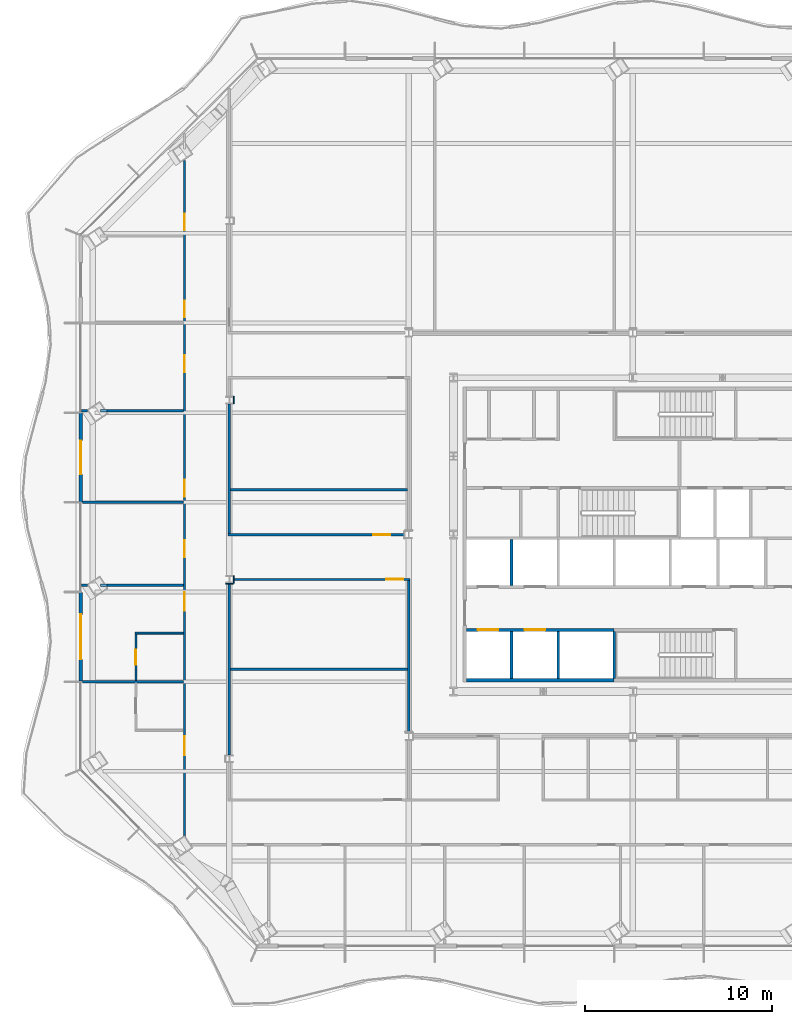
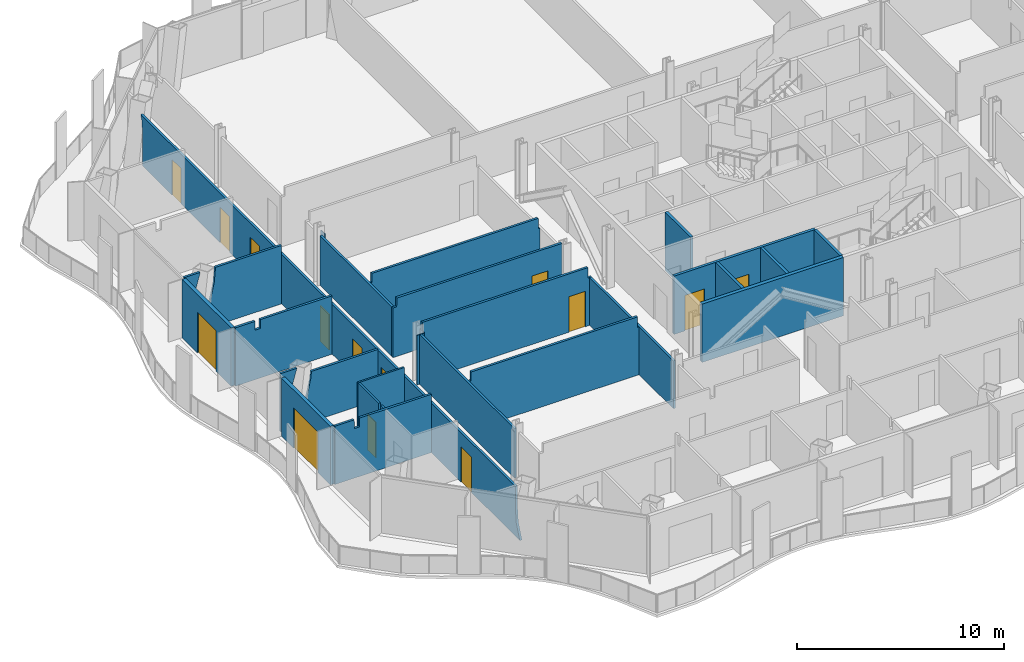
# One storey, part 8 of 21: 27 walls, 14 doors, 14 openings.
"""IFC4 building model written with IfcOpenShell, lengths in metres."""

from ifc_helpers import new_model, si_unit, direction, frame, frame_2d, origin, place, context, subcontext, project, spatial, polyline, rectangle, outline, extrude, material, layer, layer_set, type_object, element, fill, save


model = new_model("IFC4")

# Units and contexts
model_context = context("Model", 3, precision=1e-05, world=origin(), true_north=direction((0.0, 1.0)))
body_context = subcontext(model_context, "Body", "Model", "MODEL_VIEW")
ifc_project = project(units=[si_unit("LENGTHUNIT", "METRE"), si_unit("AREAUNIT", "SQUARE_METRE"), si_unit("VOLUMEUNIT", "CUBIC_METRE"), si_unit("PLANEANGLEUNIT", "RADIAN"), si_unit("MASSUNIT", "GRAM", prefix="KILO")], contexts=[model_context])

# Site, building, storey
site_placement = place(None, origin())
site = spatial("IfcSite", under=ifc_project, at=site_placement, CompositionType="ELEMENT")
building_placement = place(site_placement, origin())
building = spatial("IfcBuilding", under=site, at=building_placement, Name="Cairn Pilgrim Tower", CompositionType="ELEMENT")
storey_placement = place(building_placement, frame((0.0, 0.0, 108.60009765625)))
storey = spatial("IfcBuildingStorey", under=building, at=storey_placement, Name="L26", CompositionType="ELEMENT", Elevation=108.60009765625)

# Wall, opening, door
ifc_material_1 = material(Name="Bronze anodised aluminium insulated sandwich panel with mineral wool fill", Category="aluminium")
ifc_layer_1 = layer(ifc_material_1, 0.199951171875)
ifc_layer_set_1 = layer_set([ifc_layer_1], Name="BRONZE INFILL FRAME WALL 200")
wall_type_1 = type_object("IfcWallType", Name="BRONZE INFILL FRAME WALL 200", PredefinedType="NOTDEFINED", material=ifc_layer_set_1)
wall_1_placement = place(storey_placement, frame((-22.3583984375, 8.897705078125, 0.0), z_axis=(0.0, 0.0, 1.0), x_axis=(0.0, -1.0, 0.0)))
wall_1 = element("IfcWall", 1, at=wall_1_placement, inside=storey, type_object=wall_type_1, Name="Bronze infill frame wall IW-W3", PredefinedType="NOTDEFINED", context=body_context, shape_type="SweptSolid", body=[
    extrude(rectangle(XDim=4.739990234375, YDim=0.199951171875, at=frame_2d((2.3701171875, 0.0))), origin(), (0.0, 0.0, 1.0), 3.449951171875),
])
opening_1_placement = place(wall_1_placement, frame((1.4697265625, 0.0, 0.0)))
opening_1 = element("IfcOpeningElement", 2, at=opening_1_placement, cuts=wall_1, Name="Opening 2612B", PredefinedType="OPENING", context=body_context, shape_type="SweptSolid", body=[
    extrude(rectangle(XDim=1.800048828125, YDim=2.39990234375, at=frame_2d((0.89990234375, 1.199951171875))), frame((0.0, 0.10986328125, 0.0), z_axis=(0.0, -1.0, 0.0), x_axis=(1.0, 0.0, 0.0)), (0.0, 0.0, 1.0), 0.219970703125),
])
ifc_material_2 = material(Name="Bronze anodised aluminium frame with tinted low-E glass", Category="aluminium")
door_type_1 = type_object("IfcDoorType", Name="BALCONY SLIDING DOOR 1800x2400", OperationType="DOUBLE_DOOR_SLIDING", PredefinedType="DOOR", material=ifc_material_2)
door_1_placement = place(opening_1_placement, origin())
door_1 = element("IfcDoor", 3, at=door_1_placement, inside=storey, type_object=door_type_1, Name="Balcony sliding door 2612B", OperationType="SINGLE_SWING_LEFT", OverallHeight=2.39990234375, OverallWidth=1.800048828125, PredefinedType="DOOR", context=body_context, shape_type="SweptSolid", body=[
    extrude(rectangle(XDim=1.800048828125, YDim=2.39990234375, at=frame_2d((0.89990234375, 1.199951171875))), frame((0.0, 0.02490234375, 0.0), z_axis=(0.0, -1.0, 0.0), x_axis=(1.0, 0.0, 0.0)), (0.0, 0.0, 1.0), 0.050048828125),
])
fill(opening_1, door_1)

wall_2_placement = place(storey_placement, frame((-22.3583984375, -0.7021484375, 0.0), z_axis=(0.0, 0.0, 1.0), x_axis=(0.0, -1.0, 0.0)))
wall_2 = element("IfcWall", 4, at=wall_2_placement, inside=storey, type_object=wall_type_1, Name="Bronze infill frame wall IW-W5", PredefinedType="NOTDEFINED", context=body_context, shape_type="SweptSolid", body=[
    extrude(rectangle(XDim=4.739990234375, YDim=0.199951171875, at=frame_2d((2.3701171875, 0.0))), origin(), (0.0, 0.0, 1.0), 3.449951171875),
])
opening_2_placement = place(wall_2_placement, frame((1.169677734375, 0.0, 0.0)))
opening_2 = element("IfcOpeningElement", 5, at=opening_2_placement, cuts=wall_2, Name="Opening 2610B", PredefinedType="OPENING", context=body_context, shape_type="SweptSolid", body=[
    extrude(rectangle(XDim=2.39990234375, YDim=2.39990234375, at=frame_2d((1.199951171875, 1.199951171875))), frame((0.0, 0.10986328125, 0.0), z_axis=(0.0, -1.0, 0.0), x_axis=(1.0, 0.0, 0.0)), (0.0, 0.0, 1.0), 0.219970703125),
])
door_type_2 = type_object("IfcDoorType", Name="BALCONY SLIDING DOOR 2400x2400", OperationType="DOUBLE_DOOR_SLIDING", PredefinedType="DOOR", material=ifc_material_2)
door_2_placement = place(opening_2_placement, origin())
door_2 = element("IfcDoor", 6, at=door_2_placement, inside=storey, type_object=door_type_2, Name="Balcony sliding door 2610B", OperationType="SINGLE_SWING_LEFT", OverallHeight=2.39990234375, OverallWidth=2.39990234375, PredefinedType="DOOR", context=body_context, shape_type="SweptSolid", body=[
    extrude(rectangle(XDim=2.39990234375, YDim=2.39990234375, at=frame_2d((1.199951171875, 1.199951171875))), frame((0.0, 0.02490234375, 0.0), z_axis=(0.0, -1.0, 0.0), x_axis=(1.0, 0.0, 0.0)), (0.0, 0.0, 1.0), 0.050048828125),
])
fill(opening_2, door_2)

# Wall
ifc_material_3 = material(Name="Concrete C32/40", Category="concrete")
ifc_layer_2 = layer(ifc_material_3, 0.199951171875)
ifc_layer_set_2 = layer_set([ifc_layer_2], Name="CORE OUTER WALL 200 EI 120")
wall_type_2 = type_object("IfcWallType", Name="CORE OUTER WALL 200 EI 120", PredefinedType="SOLIDWALL", material=ifc_layer_set_2)
wall_3_placement = place(storey_placement, frame((-1.699951171875, -5.39990234375, 0.0), z_axis=(0.0, 0.0, 1.0), x_axis=(1.0, 0.0, 0.0)))
element("IfcWall", 7, at=wall_3_placement, inside=storey, type_object=wall_type_2, Name="CW:L26:H01-1", PredefinedType="SOLIDWALL", context=body_context, shape_type="SweptSolid", body=[
    extrude(rectangle(XDim=7.89990234375, YDim=0.199951171875, at=frame_2d((3.949951171875, 0.0))), origin(), (0.0, 0.0, 1.0), 3.449951171875),
])

# Wall, openings, doors
ifc_layer_3 = layer(ifc_material_3, 0.14990234375)
ifc_layer_set_3 = layer_set([ifc_layer_3], Name="CORE SHAFT WALL 150 EI 120")
wall_type_3 = type_object("IfcWallType", Name="CORE SHAFT WALL 150 EI 120", PredefinedType="SOLIDWALL", material=ifc_layer_set_3)
wall_4_placement = place(storey_placement, frame((-1.699951171875, -2.699951171875, 0.0), z_axis=(0.0, 0.0, 1.0), x_axis=(1.0, 0.0, 0.0)))
wall_4 = element("IfcWall", 8, at=wall_4_placement, inside=storey, type_object=wall_type_3, Name="CW:L26:H02-1", PredefinedType="SOLIDWALL", context=body_context, shape_type="SweptSolid", body=[
    extrude(rectangle(XDim=7.89990234375, YDim=0.14990234375, at=frame_2d((3.949951171875, 0.0))), origin(), (0.0, 0.0, 1.0), 3.449951171875),
])
opening_3_placement = place(wall_4_placement, frame((0.60009765625, 0.0, 0.0)))
opening_3 = element("IfcOpeningElement", 9, at=opening_3_placement, cuts=wall_4, Name="Opening LD-LR1", PredefinedType="OPENING", context=body_context, shape_type="SweptSolid", body=[
    extrude(rectangle(XDim=1.10009765625, YDim=2.10009765625, at=frame_2d((0.550048828125, 1.050048828125))), frame((0.0, 0.0849609375, 0.0), z_axis=(0.0, -1.0, 0.0), x_axis=(1.0, 0.0, 0.0)), (0.0, 0.0, 1.0), 0.169921875),
])
opening_4_placement = place(wall_4_placement, frame((3.10009765625, 0.0, 0.0)))
opening_4 = element("IfcOpeningElement", 10, at=opening_4_placement, cuts=wall_4, Name="Opening LD-LR2", PredefinedType="OPENING", context=body_context, shape_type="SweptSolid", body=[
    extrude(rectangle(XDim=1.10009765625, YDim=2.10009765625, at=frame_2d((0.550048828125, 1.050048828125))), frame((0.0, 0.0849609375, 0.0), z_axis=(0.0, -1.0, 0.0), x_axis=(1.0, 0.0, 0.0)), (0.0, 0.0, 1.0), 0.169921875),
])
ifc_material_4 = material(Name="Stainless steel", Category="steel")
door_type_3 = type_object("IfcDoorType", Name="LIFT LANDING DOOR 1100x2100", OperationType="DOUBLE_DOOR_SLIDING", PredefinedType="DOOR", material=ifc_material_4)
door_3_placement = place(opening_3_placement, origin())
door_3 = element("IfcDoor", 11, at=door_3_placement, inside=storey, type_object=door_type_3, Name="LANDING DOOR LR1", OperationType="DOUBLE_DOOR_SLIDING", OverallHeight=2.10009765625, OverallWidth=1.10009765625, PredefinedType="DOOR", context=body_context, shape_type="SweptSolid", body=[
    extrude(rectangle(XDim=1.10009765625, YDim=2.10009765625, at=frame_2d((0.550048828125, 1.050048828125))), frame((0.0, 0.02490234375, 0.0), z_axis=(0.0, -1.0, 0.0), x_axis=(1.0, 0.0, 0.0)), (0.0, 0.0, 1.0), 0.050048828125),
])
fill(opening_3, door_3)
door_4_placement = place(opening_4_placement, origin())
door_4 = element("IfcDoor", 12, at=door_4_placement, inside=storey, type_object=door_type_3, Name="LANDING DOOR LR2", OperationType="DOUBLE_DOOR_SLIDING", OverallHeight=2.10009765625, OverallWidth=1.10009765625, PredefinedType="DOOR", context=body_context, shape_type="SweptSolid", body=[
    extrude(rectangle(XDim=1.10009765625, YDim=2.10009765625, at=frame_2d((0.550048828125, 1.050048828125))), frame((0.0, 0.02490234375, 0.0), z_axis=(0.0, -1.0, 0.0), x_axis=(1.0, 0.0, 0.0)), (0.0, 0.0, 1.0), 0.050048828125),
])
fill(opening_4, door_4)

# Walls
wall_5_placement = place(storey_placement, frame((0.699951171875, -5.300048828125, 0.0), z_axis=(0.0, 0.0, 1.0), x_axis=(0.0, 1.0, 0.0)))
element("IfcWall", 13, at=wall_5_placement, inside=storey, type_object=wall_type_3, Name="CW:L26:V14", PredefinedType="SOLIDWALL", context=body_context, shape_type="SweptSolid", body=[
    extrude(rectangle(XDim=2.525146484375, YDim=0.14990234375, at=frame_2d((1.2626953125, 0.0))), origin(), (0.0, 0.0, 1.0), 3.449951171875),
])
wall_6_placement = place(storey_placement, frame((0.699951171875, -0.324951171875, 0.0), z_axis=(0.0, 0.0, 1.0), x_axis=(0.0, 1.0, 0.0)))
element("IfcWall", 14, at=wall_6_placement, inside=storey, type_object=wall_type_3, Name="CW:L26:V15", PredefinedType="SOLIDWALL", context=body_context, shape_type="SweptSolid", body=[
    extrude(rectangle(XDim=2.449951171875, YDim=0.14990234375, at=frame_2d((1.22509765625, 0.0))), origin(), (0.0, 0.0, 1.0), 3.449951171875),
])
wall_7_placement = place(storey_placement, frame((3.199951171875, -5.300048828125, 0.0), z_axis=(0.0, 0.0, 1.0), x_axis=(0.0, 1.0, 0.0)))
element("IfcWall", 15, at=wall_7_placement, inside=storey, type_object=wall_type_3, Name="CW:L26:V18", PredefinedType="SOLIDWALL", context=body_context, shape_type="SweptSolid", body=[
    extrude(rectangle(XDim=2.525146484375, YDim=0.14990234375, at=frame_2d((1.2626953125, 0.0))), origin(), (0.0, 0.0, 1.0), 3.449951171875),
])

# Wall, opening, door
ifc_material_5 = material(Name="Gypsum partition")
ifc_layer_4 = layer(ifc_material_5, 0.10009765625)
ifc_layer_set_4 = layer_set([ifc_layer_4], Name="PARTITION 100 DRYWALL")
wall_type_4 = type_object("IfcWallType", Name="PARTITION 100 DRYWALL", PredefinedType="PARTITIONING", material=ifc_layer_set_4)
wall_8_placement = place(storey_placement, frame((-19.39990234375, -5.409423828125, 0.0), z_axis=(0.0, 0.0, 1.0), x_axis=(0.0, 1.0, 0.0)))
wall_8 = element("IfcWall", 16, at=wall_8_placement, inside=storey, type_object=wall_type_4, Name="PARTITION W040", PredefinedType="PARTITIONING", context=body_context, shape_type="SweptSolid", body=[
    extrude(outline(polyline([(0.0, 0.0), (2.4873046875, 0.0), (2.487548828125, 3.449951171875), (0.49072265625, 3.449951171875), (0.48876953125, 2.97998046875), (0.30078125, 2.97998046875), (0.298828125, 3.449951171875), (0.0, 3.449951171875), (0.0, 0.0)])), frame((0.0, 0.050048828125, 0.0), z_axis=(0.0, -1.0, 0.0), x_axis=(1.0, 0.0, 0.0)), (0.0, 0.0, 1.0), 0.10009765625),
])
opening_5_placement = place(wall_8_placement, frame((0.83740234375, 0.0, 0.0)))
opening_5 = element("IfcOpeningElement", 17, at=opening_5_placement, cuts=wall_8, Name="Opening 2610E", PredefinedType="OPENING", context=body_context, shape_type="SweptSolid", body=[
    extrude(rectangle(XDim=0.800048828125, YDim=2.10009765625, at=frame_2d((0.39990234375, 1.050048828125))), frame((0.0, 0.06005859375, 0.0), z_axis=(0.0, -1.0, 0.0), x_axis=(1.0, 0.0, 0.0)), (0.0, 0.0, 1.0), 0.1201171875),
])
ifc_material_6 = material(Name="Timber door leaf", Category="wood")
door_type_4 = type_object("IfcDoorType", Name="DOOR 800x2100", OperationType="NOTDEFINED", PredefinedType="DOOR", material=ifc_material_6)
door_5_placement = place(opening_5_placement, frame((0.800048828125, 0.0, 0.0), z_axis=(0.0, 0.0, 1.0), x_axis=(-1.0, 0.0, 0.0)))
door_5 = element("IfcDoor", 18, at=door_5_placement, inside=storey, type_object=door_type_4, Name="DOOR 2610E", OperationType="SINGLE_SWING_LEFT", OverallHeight=2.10009765625, OverallWidth=0.800048828125, PredefinedType="DOOR", context=body_context, shape_type="SweptSolid", body=[
    extrude(rectangle(XDim=0.800048828125, YDim=2.10009765625, at=frame_2d((0.39990234375, 1.050048828125))), frame((0.0, 0.02490234375, 0.0), z_axis=(0.0, -1.0, 0.0), x_axis=(1.0, 0.0, 0.0)), (0.0, 0.0, 1.0), 0.050048828125),
])
fill(opening_5, door_5)

# Wall
wall_9_placement = place(storey_placement, frame((-19.449951171875, -2.8720703125, 0.0), z_axis=(0.0, 0.0, 1.0), x_axis=(1.0, 0.0, 0.0)))
element("IfcWall", 19, at=wall_9_placement, inside=storey, type_object=wall_type_4, Name="PARTITION W042", PredefinedType="PARTITIONING", context=body_context, shape_type="SweptSolid", body=[
    extrude(rectangle(XDim=2.58740234375, YDim=0.10009765625, at=frame_2d((1.293701171875, 0.0))), origin(), (0.0, 0.0, 1.0), 3.449951171875),
])

# Wall, openings, doors
ifc_layer_5 = layer(ifc_material_5, 0.125)
ifc_layer_set_5 = layer_set([ifc_layer_5], Name="PARTITION 125 DRYWALL EI 60")
wall_type_5 = type_object("IfcWallType", Name="PARTITION 125 DRYWALL EI 60", PredefinedType="PARTITIONING", material=ifc_layer_set_5)
wall_10_placement = place(storey_placement, frame((-16.800048828125, -14.09814453125, 0.0), z_axis=(0.0, 0.0, 1.0), x_axis=(0.0, 1.0, 0.0)))
wall_10 = element("IfcWall", 20, at=wall_10_placement, inside=storey, type_object=wall_type_5, Name="PARTITION W017", PredefinedType="PARTITIONING", context=body_context, shape_type="SweptSolid", body=[
    extrude(outline(polyline([(0.0, 0.0), (36.51513671875, 0.0), (36.51513671875, 0.8623046875), (36.51513671875, 1.724853515625), (36.57763671875, 2.58740234375), (36.701171875, 2.929931640625), (0.4326171875, 2.929931640625), (0.4326171875, 2.58740234375), (0.4326171875, 1.724853515625), (0.351806640625, 0.8623046875), (0.0, 0.0)])), frame((0.0, 0.0625, 0.0), z_axis=(0.0, -1.0, 0.0), x_axis=(1.0, 0.0, 0.0)), (0.0, 0.0, 1.0), 0.125),
])
opening_6_placement = place(wall_10_placement, frame((4.6982421875, 0.0, 0.0)))
opening_6 = element("IfcOpeningElement", 21, at=opening_6_placement, cuts=wall_10, Name="Opening 2609", PredefinedType="OPENING", context=body_context, shape_type="SweptSolid", body=[
    extrude(rectangle(XDim=1.0, YDim=2.10009765625, at=frame_2d((0.5, 1.050048828125))), frame((0.0, 0.072509765625, 0.0), z_axis=(0.0, -1.0, 0.0), x_axis=(1.0, 0.0, 0.0)), (0.0, 0.0, 1.0), 0.14501953125),
])
opening_7_placement = place(wall_10_placement, frame((12.42626953125, 0.0, 0.0)))
opening_7 = element("IfcOpeningElement", 22, at=opening_7_placement, cuts=wall_10, Name="Opening 2610", PredefinedType="OPENING", context=body_context, shape_type="SweptSolid", body=[
    extrude(rectangle(XDim=1.0, YDim=2.10009765625, at=frame_2d((0.5, 1.050048828125))), frame((0.0, 0.072509765625, 0.0), z_axis=(0.0, -1.0, 0.0), x_axis=(1.0, 0.0, 0.0)), (0.0, 0.0, 1.0), 0.14501953125),
])
opening_8_placement = place(wall_10_placement, frame((15.298095703125, 0.0, 0.0)))
opening_8 = element("IfcOpeningElement", 23, at=opening_8_placement, cuts=wall_10, Name="Opening 2611", PredefinedType="OPENING", context=body_context, shape_type="SweptSolid", body=[
    extrude(rectangle(XDim=0.89990234375, YDim=2.10009765625, at=frame_2d((0.449951171875, 1.050048828125))), frame((0.0, 0.072509765625, 0.0), z_axis=(0.0, -1.0, 0.0), x_axis=(1.0, 0.0, 0.0)), (0.0, 0.0, 1.0), 0.14501953125),
])
opening_9_placement = place(wall_10_placement, frame((18.526123046875, 0.0, 0.0)))
opening_9 = element("IfcOpeningElement", 24, at=opening_9_placement, cuts=wall_10, Name="Opening 2612", PredefinedType="OPENING", context=body_context, shape_type="SweptSolid", body=[
    extrude(rectangle(XDim=0.89990234375, YDim=2.10009765625, at=frame_2d((0.449951171875, 1.050048828125))), frame((0.0, 0.072509765625, 0.0), z_axis=(0.0, -1.0, 0.0), x_axis=(1.0, 0.0, 0.0)), (0.0, 0.0, 1.0), 0.14501953125),
])
opening_10_placement = place(wall_10_placement, frame((25.1982421875, 0.0, 0.0)))
opening_10 = element("IfcOpeningElement", 25, at=opening_10_placement, cuts=wall_10, Name="Opening 2613", PredefinedType="OPENING", context=body_context, shape_type="SweptSolid", body=[
    extrude(rectangle(XDim=0.89990234375, YDim=2.10009765625, at=frame_2d((0.449951171875, 1.050048828125))), frame((0.0, 0.072509765625, 0.0), z_axis=(0.0, -1.0, 0.0), x_axis=(1.0, 0.0, 0.0)), (0.0, 0.0, 1.0), 0.14501953125),
])
opening_11_placement = place(wall_10_placement, frame((28.126220703125, 0.0, 0.0)))
opening_11 = element("IfcOpeningElement", 26, at=opening_11_placement, cuts=wall_10, Name="Opening 2614", PredefinedType="OPENING", context=body_context, shape_type="SweptSolid", body=[
    extrude(rectangle(XDim=0.89990234375, YDim=2.10009765625, at=frame_2d((0.449951171875, 1.050048828125))), frame((0.0, 0.072509765625, 0.0), z_axis=(0.0, -1.0, 0.0), x_axis=(1.0, 0.0, 0.0)), (0.0, 0.0, 1.0), 0.14501953125),
])
opening_12_placement = place(wall_10_placement, frame((32.7822265625, 0.0, 0.0)))
opening_12 = element("IfcOpeningElement", 27, at=opening_12_placement, cuts=wall_10, Name="Opening 2615", PredefinedType="OPENING", context=body_context, shape_type="SweptSolid", body=[
    extrude(rectangle(XDim=0.89990234375, YDim=2.10009765625, at=frame_2d((0.449951171875, 1.050048828125))), frame((0.0, 0.072509765625, 0.0), z_axis=(0.0, -1.0, 0.0), x_axis=(1.0, 0.0, 0.0)), (0.0, 0.0, 1.0), 0.14501953125),
])
door_type_5 = type_object("IfcDoorType", Name="ACCESSIBLE DOOR 1000x2100 FD30S", OperationType="NOTDEFINED", PredefinedType="DOOR", material=ifc_material_6)
door_6_placement = place(opening_6_placement, origin())
door_6 = element("IfcDoor", 28, at=door_6_placement, inside=storey, type_object=door_type_5, Name="DOOR 2609", OperationType="SINGLE_SWING_RIGHT", OverallHeight=2.10009765625, OverallWidth=1.0, PredefinedType="DOOR", context=body_context, shape_type="SweptSolid", body=[
    extrude(rectangle(XDim=1.0, YDim=2.10009765625, at=frame_2d((0.5, 1.050048828125))), frame((0.0, 0.02490234375, 0.0), z_axis=(0.0, -1.0, 0.0), x_axis=(1.0, 0.0, 0.0)), (0.0, 0.0, 1.0), 0.050048828125),
])
fill(opening_6, door_6)
door_7_placement = place(opening_7_placement, origin())
door_7 = element("IfcDoor", 29, at=door_7_placement, inside=storey, type_object=door_type_5, Name="DOOR 2610", OperationType="SINGLE_SWING_RIGHT", OverallHeight=2.10009765625, OverallWidth=1.0, PredefinedType="DOOR", context=body_context, shape_type="SweptSolid", body=[
    extrude(rectangle(XDim=1.0, YDim=2.10009765625, at=frame_2d((0.5, 1.050048828125))), frame((0.0, 0.02490234375, 0.0), z_axis=(0.0, -1.0, 0.0), x_axis=(1.0, 0.0, 0.0)), (0.0, 0.0, 1.0), 0.050048828125),
])
fill(opening_7, door_7)
ifc_material_7 = material(Name="Steel-faced fire door leaf", Category="steel")
door_type_6 = type_object("IfcDoorType", Name="FIRE DOOR 900x2100 FD30S", OperationType="NOTDEFINED", PredefinedType="DOOR", material=ifc_material_7)
door_8_placement = place(opening_8_placement, origin())
door_8 = element("IfcDoor", 30, at=door_8_placement, inside=storey, type_object=door_type_6, Name="DOOR 2611", OperationType="SINGLE_SWING_RIGHT", OverallHeight=2.10009765625, OverallWidth=0.89990234375, PredefinedType="DOOR", context=body_context, shape_type="SweptSolid", body=[
    extrude(rectangle(XDim=0.89990234375, YDim=2.10009765625, at=frame_2d((0.449951171875, 1.050048828125))), frame((0.0, 0.02490234375, 0.0), z_axis=(0.0, -1.0, 0.0), x_axis=(1.0, 0.0, 0.0)), (0.0, 0.0, 1.0), 0.050048828125),
])
fill(opening_8, door_8)
door_9_placement = place(opening_9_placement, origin())
door_9 = element("IfcDoor", 31, at=door_9_placement, inside=storey, type_object=door_type_6, Name="DOOR 2612", OperationType="SINGLE_SWING_LEFT", OverallHeight=2.10009765625, OverallWidth=0.89990234375, PredefinedType="DOOR", context=body_context, shape_type="SweptSolid", body=[
    extrude(rectangle(XDim=0.89990234375, YDim=2.10009765625, at=frame_2d((0.449951171875, 1.050048828125))), frame((0.0, 0.02490234375, 0.0), z_axis=(0.0, -1.0, 0.0), x_axis=(1.0, 0.0, 0.0)), (0.0, 0.0, 1.0), 0.050048828125),
])
fill(opening_9, door_9)
door_10_placement = place(opening_10_placement, origin())
door_10 = element("IfcDoor", 32, at=door_10_placement, inside=storey, type_object=door_type_6, Name="DOOR 2613", OperationType="SINGLE_SWING_RIGHT", OverallHeight=2.10009765625, OverallWidth=0.89990234375, PredefinedType="DOOR", context=body_context, shape_type="SweptSolid", body=[
    extrude(rectangle(XDim=0.89990234375, YDim=2.10009765625, at=frame_2d((0.449951171875, 1.050048828125))), frame((0.0, 0.02490234375, 0.0), z_axis=(0.0, -1.0, 0.0), x_axis=(1.0, 0.0, 0.0)), (0.0, 0.0, 1.0), 0.050048828125),
])
fill(opening_10, door_10)
door_11_placement = place(opening_11_placement, origin())
door_11 = element("IfcDoor", 33, at=door_11_placement, inside=storey, type_object=door_type_6, Name="DOOR 2614", OperationType="SINGLE_SWING_LEFT", OverallHeight=2.10009765625, OverallWidth=0.89990234375, PredefinedType="DOOR", context=body_context, shape_type="SweptSolid", body=[
    extrude(rectangle(XDim=0.89990234375, YDim=2.10009765625, at=frame_2d((0.449951171875, 1.050048828125))), frame((0.0, 0.02490234375, 0.0), z_axis=(0.0, -1.0, 0.0), x_axis=(1.0, 0.0, 0.0)), (0.0, 0.0, 1.0), 0.050048828125),
])
fill(opening_11, door_11)
door_12_placement = place(opening_12_placement, origin())
door_12 = element("IfcDoor", 34, at=door_12_placement, inside=storey, type_object=door_type_6, Name="DOOR 2615", OperationType="SINGLE_SWING_RIGHT", OverallHeight=2.10009765625, OverallWidth=0.89990234375, PredefinedType="DOOR", context=body_context, shape_type="SweptSolid", body=[
    extrude(rectangle(XDim=0.89990234375, YDim=2.10009765625, at=frame_2d((0.449951171875, 1.050048828125))), frame((0.0, 0.02490234375, 0.0), z_axis=(0.0, -1.0, 0.0), x_axis=(1.0, 0.0, 0.0)), (0.0, 0.0, 1.0), 0.050048828125),
])
fill(opening_12, door_12)

# Walls
wall_11_placement = place(storey_placement, frame((-14.39990234375, -9.403564453125, 0.0), z_axis=(0.0, 0.0, 1.0), x_axis=(0.0, 1.0, 0.0)))
element("IfcWall", 35, at=wall_11_placement, inside=storey, type_object=wall_type_5, Name="PARTITION W031", PredefinedType="PARTITIONING", context=body_context, shape_type="SweptSolid", body=[
    extrude(rectangle(XDim=9.20703125, YDim=0.125, at=frame_2d((4.603515625, 0.0))), origin(), (0.0, 0.0, 1.0), 2.929931640625),
])
wall_12_placement = place(storey_placement, frame((-4.800048828125, -8.1875, 0.0), z_axis=(0.0, 0.0, 1.0), x_axis=(0.0, 1.0, 0.0)))
element("IfcWall", 36, at=wall_12_placement, inside=storey, type_object=wall_type_5, Name="PARTITION W035", PredefinedType="PARTITIONING", context=body_context, shape_type="SweptSolid", body=[
    extrude(rectangle(XDim=8.125, YDim=0.125, at=frame_2d((4.0625, 0.0))), origin(), (0.0, 0.0, 1.0), 2.829833984375),
])
wall_13_placement = place(storey_placement, frame((-22.25830078125, -5.471923828125, 0.0), z_axis=(0.0, 0.0, 1.0), x_axis=(1.0, 0.0, 0.0)))
element("IfcWall", 37, at=wall_13_placement, inside=storey, type_object=wall_type_5, Name="PARTITION W039", PredefinedType="PARTITIONING", context=body_context, shape_type="SweptSolid", body=[
    extrude(outline(polyline([(0.0, 0.0), (5.395751953125, 0.0), (5.39599609375, 3.449951171875), (1.387939453125, 3.449951171875), (1.385986328125, 2.929931640625), (1.087890625, 2.929931640625), (1.0859375, 3.449951171875), (0.0, 3.449951171875), (0.0, 0.0)])), frame((0.0, 0.0625, 0.0), z_axis=(0.0, -1.0, 0.0), x_axis=(1.0, 0.0, 0.0)), (0.0, 0.0, 1.0), 0.125),
])
wall_14_placement = place(storey_placement, frame((-14.33740234375, -4.800048828125, 0.0), z_axis=(0.0, 0.0, 1.0), x_axis=(1.0, 0.0, 0.0)))
element("IfcWall", 38, at=wall_14_placement, inside=storey, type_object=wall_type_5, Name="PARTITION W041", PredefinedType="PARTITIONING", context=body_context, shape_type="SweptSolid", body=[
    extrude(outline(polyline([(0.0, 0.0), (9.474853515625, 0.0), (9.47509765625, 2.829833984375), (9.387451171875, 2.829833984375), (9.385498046875, 3.449951171875), (0.08740234375, 3.449951171875), (0.08544921875, 2.929931640625), (0.0, 2.929931640625), (0.0, 0.0)])), frame((0.0, 0.0625, 0.0), z_axis=(0.0, -1.0, 0.0), x_axis=(1.0, 0.0, 0.0)), (0.0, 0.0, 1.0), 0.125),
])
wall_15_placement = place(storey_placement, frame((-22.311279296875, -0.319091796875, 0.0), z_axis=(0.0, 0.0, 1.0), x_axis=(1.0, 0.0, 0.0)))
element("IfcWall", 39, at=wall_15_placement, inside=storey, type_object=wall_type_5, Name="PARTITION W044", PredefinedType="PARTITIONING", context=body_context, shape_type="SweptSolid", body=[
    extrude(outline(polyline([(0.0, 0.0), (0.131591796875, 0.0), (0.233154296875, 0.8623046875), (0.432861328125, 1.724853515625), (0.6708984375, 2.58740234375), (0.908935546875, 3.449951171875), (0.0, 3.449951171875), (0.0, 2.58740234375), (0.0, 1.724853515625), (0.0, 0.8623046875), (0.0, 0.0)])), frame((0.0, 0.0625, 0.0), z_axis=(0.0, -1.0, 0.0), x_axis=(1.0, 0.0, 0.0)), (0.0, 0.0, 1.0), 0.125),
])
wall_16_placement = place(storey_placement, frame((-21.284912109375, -0.319091796875, 0.0), z_axis=(0.0, 0.0, 1.0), x_axis=(1.0, 0.0, 0.0)))
element("IfcWall", 40, at=wall_16_placement, inside=storey, type_object=wall_type_5, Name="PARTITION W045", PredefinedType="PARTITIONING", context=body_context, shape_type="SweptSolid", body=[
    extrude(outline(polyline([(0.0, 0.0), (4.42236328125, 0.0), (4.42236328125, 0.8623046875), (4.42236328125, 1.724853515625), (4.42236328125, 2.58740234375), (4.42236328125, 2.97998046875), (0.695556640625, 2.97998046875), (0.662841796875, 2.58740234375), (0.47607421875, 1.724853515625), (0.238037109375, 0.8623046875), (0.0, 0.0)])), frame((0.0, 0.0625, 0.0), z_axis=(0.0, -1.0, 0.0), x_axis=(1.0, 0.0, 0.0)), (0.0, 0.0, 1.0), 0.125),
])

# Wall, opening, door
wall_17_placement = place(storey_placement, frame((-14.200439453125, 0.0, 0.0), z_axis=(0.0, 0.0, 1.0), x_axis=(1.0, 0.0, 0.0)))
wall_17 = element("IfcWall", 41, at=wall_17_placement, inside=storey, type_object=wall_type_5, Name="PARTITION W046", PredefinedType="PARTITIONING", context=body_context, shape_type="SweptSolid", body=[
    extrude(outline(polyline([(0.0, 0.0), (9.462890625, 0.0), (9.462890625, 2.829833984375), (9.25048828125, 2.829833984375), (9.24853515625, 3.449951171875), (0.0, 3.449951171875), (0.0, 0.0)])), frame((0.0, 0.0625, 0.0), z_axis=(0.0, -1.0, 0.0), x_axis=(1.0, 0.0, 0.0)), (0.0, 0.0, 1.0), 0.125),
])
opening_13_placement = place(wall_17_placement, frame((8.200439453125, 0.0, 0.0)))
opening_13 = element("IfcOpeningElement", 42, at=opening_13_placement, cuts=wall_17, Name="Opening 2628", PredefinedType="OPENING", context=body_context, shape_type="SweptSolid", body=[
    extrude(rectangle(XDim=0.89990234375, YDim=2.10009765625, at=frame_2d((0.449951171875, 1.050048828125))), frame((0.0, 0.072509765625, 0.0), z_axis=(0.0, -1.0, 0.0), x_axis=(1.0, 0.0, 0.0)), (0.0, 0.0, 1.0), 0.14501953125),
])
door_13_placement = place(opening_13_placement, frame((0.89990234375, 0.0, 0.0), z_axis=(0.0, 0.0, 1.0), x_axis=(-1.0, 0.0, 0.0)))
door_13 = element("IfcDoor", 43, at=door_13_placement, inside=storey, type_object=door_type_6, Name="DOOR 2628", OperationType="SINGLE_SWING_RIGHT", OverallHeight=2.10009765625, OverallWidth=0.89990234375, PredefinedType="DOOR", context=body_context, shape_type="SweptSolid", body=[
    extrude(rectangle(XDim=0.89990234375, YDim=2.10009765625, at=frame_2d((0.449951171875, 1.050048828125))), frame((0.0, 0.02490234375, 0.0), z_axis=(0.0, -1.0, 0.0), x_axis=(1.0, 0.0, 0.0)), (0.0, 0.0, 1.0), 0.050048828125),
])
fill(opening_13, door_13)

wall_18_placement = place(storey_placement, frame((-14.46240234375, 2.39990234375, 0.0), z_axis=(0.0, 0.0, 1.0), x_axis=(1.0, 0.0, 0.0)))
wall_18 = element("IfcWall", 44, at=wall_18_placement, inside=storey, type_object=wall_type_5, Name="PARTITION W049", PredefinedType="PARTITIONING", context=body_context, shape_type="SweptSolid", body=[
    extrude(outline(polyline([(0.0, 0.0), (9.4580078125, 0.0), (9.4580078125, 3.449951171875), (0.21240234375, 3.449951171875), (0.21044921875, 2.929931640625), (0.0, 2.929931640625), (0.0, 0.0)])), frame((0.0, 0.0625, 0.0), z_axis=(0.0, -1.0, 0.0), x_axis=(1.0, 0.0, 0.0)), (0.0, 0.0, 1.0), 0.125),
])
opening_14_placement = place(wall_18_placement, frame((7.762451171875, 0.0, 0.0)))
opening_14 = element("IfcOpeningElement", 45, at=opening_14_placement, cuts=wall_18, Name="Opening 2629", PredefinedType="OPENING", context=body_context, shape_type="SweptSolid", body=[
    extrude(rectangle(XDim=0.89990234375, YDim=2.10009765625, at=frame_2d((0.449951171875, 1.050048828125))), frame((0.0, 0.072509765625, 0.0), z_axis=(0.0, -1.0, 0.0), x_axis=(1.0, 0.0, 0.0)), (0.0, 0.0, 1.0), 0.14501953125),
])
door_14_placement = place(opening_14_placement, origin())
door_14 = element("IfcDoor", 46, at=door_14_placement, inside=storey, type_object=door_type_6, Name="DOOR 2629", OperationType="SINGLE_SWING_LEFT", OverallHeight=2.10009765625, OverallWidth=0.89990234375, PredefinedType="DOOR", context=body_context, shape_type="SweptSolid", body=[
    extrude(rectangle(XDim=0.89990234375, YDim=2.10009765625, at=frame_2d((0.449951171875, 1.050048828125))), frame((0.0, 0.02490234375, 0.0), z_axis=(0.0, -1.0, 0.0), x_axis=(1.0, 0.0, 0.0)), (0.0, 0.0, 1.0), 0.050048828125),
])
fill(opening_14, door_14)

# Walls
wall_19_placement = place(storey_placement, frame((-14.39990234375, 2.46240234375, 0.0), z_axis=(0.0, 0.0, 1.0), x_axis=(0.0, 1.0, 0.0)))
element("IfcWall", 47, at=wall_19_placement, inside=storey, type_object=wall_type_5, Name="PARTITION W050", PredefinedType="PARTITIONING", context=body_context, shape_type="SweptSolid", body=[
    extrude(rectangle(XDim=6.941162109375, YDim=0.125, at=frame_2d((3.470703125, 0.0))), origin(), (0.0, 0.0, 1.0), 2.929931640625),
])
wall_20_placement = place(storey_placement, frame((-22.25830078125, 4.1279296875, 0.0), z_axis=(0.0, 0.0, 1.0), x_axis=(1.0, 0.0, 0.0)))
element("IfcWall", 48, at=wall_20_placement, inside=storey, type_object=wall_type_5, Name="PARTITION W054", PredefinedType="PARTITIONING", context=body_context, shape_type="SweptSolid", body=[
    extrude(outline(polyline([(0.0, 0.0), (5.395751953125, 0.0), (5.39599609375, 3.449951171875), (1.387939453125, 3.449951171875), (1.385986328125, 2.929931640625), (1.087890625, 2.929931640625), (1.0859375, 3.449951171875), (0.0, 3.449951171875), (0.0, 0.0)])), frame((0.0, 0.0625, 0.0), z_axis=(0.0, -1.0, 0.0), x_axis=(1.0, 0.0, 0.0)), (0.0, 0.0, 1.0), 0.125),
])
wall_21_placement = place(storey_placement, frame((-14.33740234375, 4.800048828125, 0.0), z_axis=(0.0, 0.0, 1.0), x_axis=(1.0, 0.0, 0.0)))
element("IfcWall", 49, at=wall_21_placement, inside=storey, type_object=wall_type_5, Name="PARTITION W056", PredefinedType="PARTITIONING", context=body_context, shape_type="SweptSolid", body=[
    extrude(outline(polyline([(0.0, 0.0), (9.474853515625, 0.0), (9.47509765625, 2.829833984375), (9.387451171875, 2.829833984375), (9.385498046875, 3.449951171875), (0.08740234375, 3.449951171875), (0.08544921875, 2.929931640625), (0.0, 2.929931640625), (0.0, 0.0)])), frame((0.0, 0.0625, 0.0), z_axis=(0.0, -1.0, 0.0), x_axis=(1.0, 0.0, 0.0)), (0.0, 0.0, 1.0), 0.125),
])
wall_22_placement = place(storey_placement, frame((-22.311279296875, 9.032958984375, 0.0), z_axis=(0.0, 0.0, 1.0), x_axis=(1.0, 0.0, 0.0)))
element("IfcWall", 50, at=wall_22_placement, inside=storey, type_object=wall_type_5, Name="PARTITION W060", PredefinedType="PARTITIONING", context=body_context, shape_type="SweptSolid", body=[
    extrude(outline(polyline([(0.0, 0.0), (0.13232421875, 0.0), (0.233154296875, 0.8623046875), (0.4326171875, 1.724853515625), (0.670654296875, 2.58740234375), (0.90869140625, 3.449951171875), (0.0, 3.449951171875), (0.0, 2.58740234375), (0.0, 1.724853515625), (0.0, 0.8623046875), (0.0, 0.0)])), frame((0.0, 0.0625, 0.0), z_axis=(0.0, -1.0, 0.0), x_axis=(1.0, 0.0, 0.0)), (0.0, 0.0, 1.0), 0.125),
])
wall_23_placement = place(storey_placement, frame((-21.28515625, 9.032958984375, 0.0), z_axis=(0.0, 0.0, 1.0), x_axis=(1.0, 0.0, 0.0)))
element("IfcWall", 51, at=wall_23_placement, inside=storey, type_object=wall_type_5, Name="PARTITION W061", PredefinedType="PARTITIONING", context=body_context, shape_type="SweptSolid", body=[
    extrude(outline(polyline([(0.0, 0.0), (4.422607421875, 0.0), (4.422607421875, 0.8623046875), (4.422607421875, 1.724853515625), (4.422607421875, 2.58740234375), (4.422607421875, 3.449951171875), (0.73583984375, 3.449951171875), (0.6630859375, 2.58740234375), (0.47607421875, 1.724853515625), (0.238037109375, 0.8623046875), (0.0, 0.0)])), frame((0.0, 0.0625, 0.0), z_axis=(0.0, -1.0, 0.0), x_axis=(1.0, 0.0, 0.0)), (0.0, 0.0, 1.0), 0.125),
])
ifc_layer_6 = layer(ifc_material_5, 0.050048828125)
ifc_layer_set_6 = layer_set([ifc_layer_6], Name="PARTITION 50 DRYWALL EI 60")
wall_type_6 = type_object("IfcWallType", Name="PARTITION 50 DRYWALL EI 60", PredefinedType="PARTITIONING", material=ifc_layer_set_6)
wall_24_placement = place(storey_placement, frame((-14.175537109375, -0.196533203125, 0.0), z_axis=(0.0, 0.0, 1.0), x_axis=(0.0, 1.0, 0.0)))
element("IfcWall", 52, at=wall_24_placement, inside=storey, type_object=wall_type_6, Name="COLUMN CASING WC02", PredefinedType="PARTITIONING", context=body_context, shape_type="SweptSolid", body=[
    extrude(rectangle(XDim=0.39306640625, YDim=0.050048828125, at=frame_2d((0.196533203125, 0.0))), origin(), (0.0, 0.0, 1.0), 2.929931640625),
])
wall_25_placement = place(storey_placement, frame((-14.599609375, -0.221435546875, 0.0), z_axis=(0.0, 0.0, 1.0), x_axis=(1.0, 0.0, 0.0)))
element("IfcWall", 53, at=wall_25_placement, inside=storey, type_object=wall_type_6, Name="COLUMN CASING WC08", PredefinedType="PARTITIONING", context=body_context, shape_type="SweptSolid", body=[
    extrude(rectangle(XDim=0.399169921875, YDim=0.050048828125, at=frame_2d((0.19970703125, 0.0))), origin(), (0.0, 0.0, 1.0), 2.929931640625),
])
wall_26_placement = place(storey_placement, frame((-14.175537109375, 9.403564453125, 0.0), z_axis=(0.0, 0.0, 1.0), x_axis=(0.0, 1.0, 0.0)))
element("IfcWall", 54, at=wall_26_placement, inside=storey, type_object=wall_type_6, Name="COLUMN CASING WC10", PredefinedType="PARTITIONING", context=body_context, shape_type="SweptSolid", body=[
    extrude(rectangle(XDim=0.392822265625, YDim=0.050048828125, at=frame_2d((0.1962890625, 0.0))), origin(), (0.0, 0.0, 1.0), 2.929931640625),
])
ifc_material_8 = material(Name="Concrete C35/45", Category="concrete")
ifc_layer_7 = layer(ifc_material_8, 0.14990234375)
ifc_layer_set_7 = layer_set([ifc_layer_7], Name="STAIR SHAFT WALL 150 EI 120")
wall_type_7 = type_object("IfcWallType", Name="STAIR SHAFT WALL 150 EI 120", PredefinedType="SOLIDWALL", material=ifc_layer_set_7)
wall_27_placement = place(storey_placement, frame((6.199951171875, -5.300048828125, 0.0), z_axis=(0.0, 0.0, 1.0), x_axis=(0.0, 1.0, 0.0)))
element("IfcWall", 55, at=wall_27_placement, inside=storey, type_object=wall_type_7, Name="CW:L26:V22", PredefinedType="SOLIDWALL", context=body_context, shape_type="SweptSolid", body=[
    extrude(rectangle(XDim=2.525146484375, YDim=0.14990234375, at=frame_2d((1.2626953125, 0.0))), origin(), (0.0, 0.0, 1.0), 3.449951171875),
])

save(model, "model.ifc")
